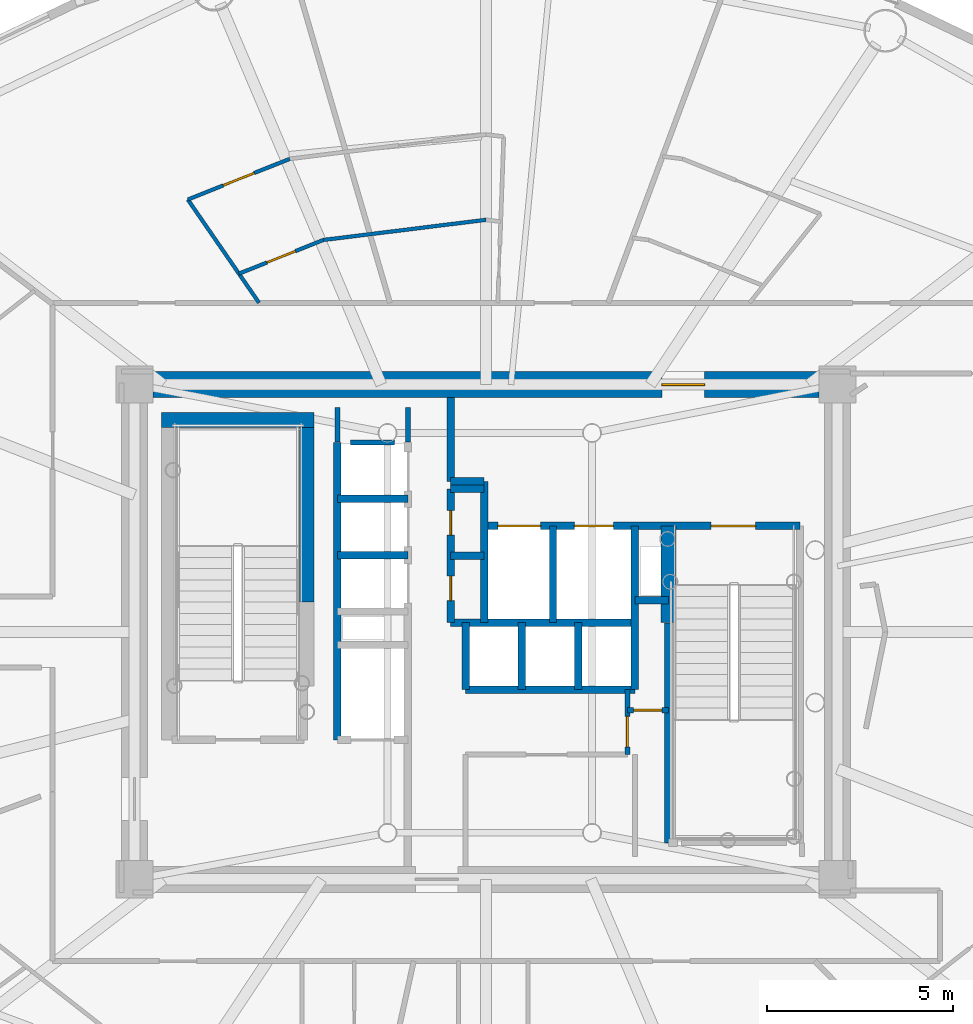
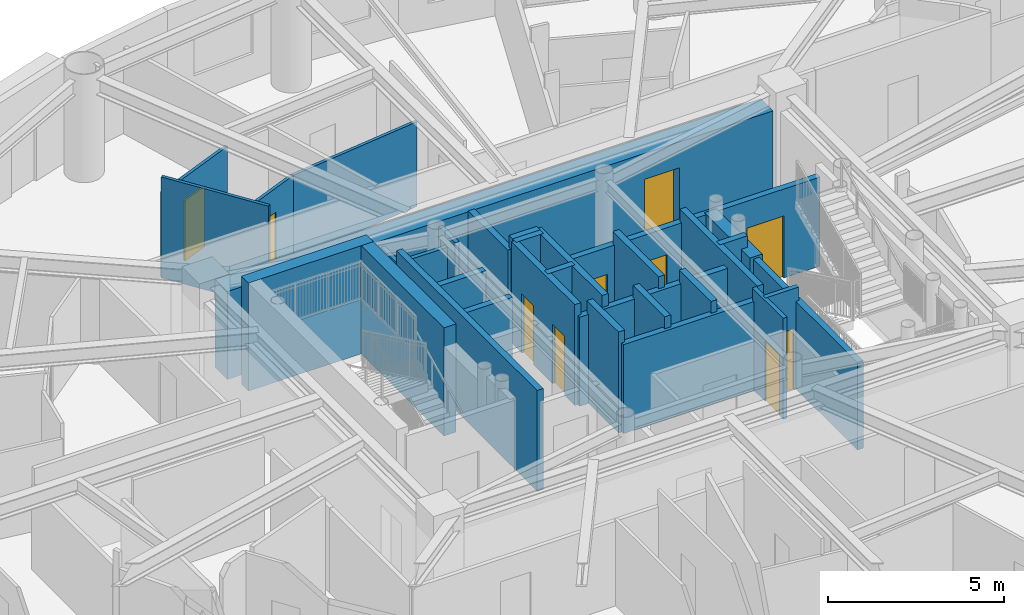
# One storey, part 9 of 19: 32 walls, 10 doors, 10 openings.
"""IFC4 building model written with IfcOpenShell, lengths in metres."""

from ifc_helpers import new_model, si_unit, direction, frame, frame_2d, origin, origin_2d, place, context, subcontext, project, spatial, rectangle, extrude, source, transform, mapped, material, layer, layer_set, type_object, element, fill, save


model = new_model("IFC4")

# Units and contexts
model_context = context("Model", 3, precision=1e-05, world=origin(), true_north=direction((0.0, 1.0)))
body_context = subcontext(model_context, "Body", "Model", "MODEL_VIEW")
ifc_project = project(units=[si_unit("LENGTHUNIT", "METRE"), si_unit("AREAUNIT", "SQUARE_METRE"), si_unit("VOLUMEUNIT", "CUBIC_METRE"), si_unit("PLANEANGLEUNIT", "RADIAN"), si_unit("MASSUNIT", "GRAM", prefix="KILO")], contexts=[model_context])

# Site, building, storey
site_placement = place(None, origin())
site = spatial("IfcSite", under=ifc_project, at=site_placement, CompositionType="ELEMENT")
building_placement = place(site_placement, origin())
building = spatial("IfcBuilding", under=site, at=building_placement, Name="Linh Dai School and Residence Tower", CompositionType="ELEMENT")
storey_placement = place(building_placement, frame((0.0, 0.0, 217.800048828125)))
storey = spatial("IfcBuildingStorey", under=building, at=storey_placement, Name="L53", CompositionType="ELEMENT", Elevation=217.800048828125)

# Wall, opening, door
ifc_material_1 = material(Name="Autoclaved Aerated Concrete Blockwork", Category="masonry")
ifc_layer_1 = layer(ifc_material_1, 0.135009765625)
ifc_layer_set_1 = layer_set([ifc_layer_1], Name="Autoclaved Aerated Concrete Blockwork")
wall_type_1 = type_object("IfcWallType", Name="IW-CORR-135-EI90", PredefinedType="PARTITIONING", material=ifc_layer_set_1)
wall_1_placement = place(storey_placement, frame((39.800048828125, 23.699951171875, 0.0), z_axis=(0.0, 0.0, 1.0), x_axis=(0.0, 1.0, 0.0)))
wall_1 = element("IfcWall", 1, at=wall_1_placement, inside=storey, type_object=wall_type_1, Name="L53 Interior Partition Wall 068", PredefinedType="PARTITIONING", context=body_context, shape_type="SweptSolid", body=[
    extrude(rectangle(XDim=1.75, YDim=0.135009765625, at=frame_2d((0.875, 0.0))), origin(), (0.0, 0.0, 1.0), 3.5),
])
opening_1_placement = place(wall_1_placement, frame((0.2099609375, 0.0, 0.0)))
opening_1 = element("IfcOpeningElement", 2, at=opening_1_placement, cuts=wall_1, Name="Opening D06", PredefinedType="OPENING", context=body_context, shape_type="SweptSolid", body=[
    extrude(rectangle(XDim=0.820068359375, YDim=2.10009765625, at=origin_2d()), frame((0.41015625, 0.07763671875, 1.050048828125), z_axis=(0.0, -1.0, 0.0), x_axis=(1.0, 0.0, 0.0)), (0.0, 0.0, 1.0), 0.155029296875),
])
ifc_material_2 = material(Name="Moisture-Resistant Timber Bathroom Door", Category="wood")
door_type_1 = type_object("IfcDoorType", Name="DR-WET-820x2100", OperationType="NOTDEFINED", PredefinedType="DOOR", material=ifc_material_2)
shared_shape_1 = source(origin(), body_context, "Body", "SweptSolid", [
    extrude(rectangle(XDim=0.820068359375, YDim=2.10009765625, at=origin_2d()), frame((0.41015625, 0.02490234375, 1.050048828125), z_axis=(0.0, -1.0, 0.0), x_axis=(1.0, 0.0, 0.0)), (0.0, 0.0, 1.0), 0.050048828125),
])
door_1_placement = place(opening_1_placement, origin())
door_1 = element("IfcDoor", 3, at=door_1_placement, inside=storey, type_object=door_type_1, Name="L53 SE Metering Closet Door", OperationType="SINGLE_SWING_RIGHT", OverallHeight=2.10009765625, OverallWidth=0.820068359375, PredefinedType="DOOR", context=body_context, shape_type="MappedRepresentation", body=[
    mapped(shared_shape_1, transform((0.0, 0.0, 0.0), x_axis=(1.0, 0.0, 0.0), y_axis=(0.0, 1.0, 0.0), z_axis=(0.0, 0.0, 1.0), scale=1.0)),
])
fill(opening_1, door_1)

# Walls
wall_2_placement = place(storey_placement, frame((32.360107421875, 32.10009765625, 0.0), z_axis=(0.0, 0.0, 1.0), x_axis=(1.0, 0.0, 0.0)))
element("IfcWall", 4, at=wall_2_placement, inside=storey, type_object=wall_type_1, Name="L53 Interior Partition Wall 097", PredefinedType="PARTITIONING", context=body_context, shape_type="SweptSolid", body=[
    extrude(rectangle(XDim=1.179931640625, YDim=0.135009765625, at=frame_2d((0.58984375, 0.0))), origin(), (0.0, 0.0, 1.0), 3.0849609375),
])
wall_3_placement = place(storey_placement, frame((32.0, 33.0400390625, 0.0), z_axis=(0.0, 0.0, 1.0), x_axis=(0.0, -1.0, 0.0)))
element("IfcWall", 5, at=wall_3_placement, inside=storey, type_object=wall_type_1, Name="L53 Interior Partition Wall 099", PredefinedType="PARTITIONING", context=body_context, shape_type="SweptSolid", body=[
    extrude(rectangle(XDim=0.929931640625, YDim=0.135009765625, at=frame_2d((0.46484375, 0.0))), origin(), (0.0, 0.0, 1.0), 3.034912109375),
])
wall_4_placement = place(storey_placement, frame((33.89990234375, 32.110107421875, 0.0), z_axis=(0.0, 0.0, 1.0), x_axis=(0.0, 1.0, 0.0)))
element("IfcWall", 6, at=wall_4_placement, inside=storey, type_object=wall_type_1, Name="L53 Interior Partition Wall 101", PredefinedType="PARTITIONING", context=body_context, shape_type="SweptSolid", body=[
    extrude(rectangle(XDim=0.929931640625, YDim=0.135009765625, at=frame_2d((0.46484375, 0.0))), origin(), (0.0, 0.0, 1.0), 3.0849609375),
])

# Wall, opening, door
ifc_layer_2 = layer(ifc_material_1, 0.14990234375)
ifc_layer_set_2 = layer_set([ifc_layer_2], Name="Autoclaved Aerated Concrete Blockwork")
wall_type_2 = type_object("IfcWallType", Name="IW-SCH-150-EI60", PredefinedType="PARTITIONING", material=ifc_layer_set_2)
wall_5_placement = place(storey_placement, frame((39.800048828125, 24.89990234375, 0.0), z_axis=(0.0, 0.0, 1.0), x_axis=(1.0, 0.0, 0.0)))
wall_5 = element("IfcWall", 7, at=wall_5_placement, inside=storey, type_object=wall_type_2, Name="L53 Interior Partition Wall 069", PredefinedType="PARTITIONING", context=body_context, shape_type="SweptSolid", body=[
    extrude(rectangle(XDim=1.099853515625, YDim=0.14990234375, at=frame_2d((0.5498046875, 0.0))), origin(), (0.0, 0.0, 1.0), 3.5),
])
opening_2_placement = place(wall_5_placement, frame((0.169921875, 0.0, 0.0)))
opening_2 = element("IfcOpeningElement", 8, at=opening_2_placement, cuts=wall_5, Name="Opening D08", PredefinedType="OPENING", context=body_context, shape_type="SweptSolid", body=[
    extrude(rectangle(XDim=0.760009765625, YDim=2.10009765625, at=origin_2d()), frame((0.3798828125, 0.0849609375, 1.050048828125), z_axis=(0.0, -1.0, 0.0), x_axis=(1.0, 0.0, 0.0)), (0.0, 0.0, 1.0), 0.169921875),
])
ifc_material_3 = material(Name="Engineered Timber Closet and Study Door", Category="wood")
door_type_2 = type_object("IfcDoorType", Name="DR-CMP-760x2100", OperationType="NOTDEFINED", PredefinedType="DOOR", material=ifc_material_3)
shared_shape_2 = source(origin(), body_context, "Body", "SweptSolid", [
    extrude(rectangle(XDim=0.760009765625, YDim=2.10009765625, at=origin_2d()), frame((0.3798828125, 0.02490234375, 1.050048828125), z_axis=(0.0, -1.0, 0.0), x_axis=(1.0, 0.0, 0.0)), (0.0, 0.0, 1.0), 0.050048828125),
])
door_2_placement = place(opening_2_placement, origin())
door_2 = element("IfcDoor", 9, at=door_2_placement, inside=storey, type_object=door_type_2, Name="L53 NE Cleaners Store Door", OperationType="SINGLE_SWING_LEFT", OverallHeight=2.10009765625, OverallWidth=0.760009765625, PredefinedType="DOOR", context=body_context, shape_type="MappedRepresentation", body=[
    mapped(shared_shape_2, transform((0.0, 0.0, 0.0), x_axis=(1.0, 0.0, 0.0), y_axis=(0.0, 1.0, 0.0), z_axis=(0.0, 0.0, 1.0), scale=1.0)),
])
fill(opening_2, door_2)

# Walls
ifc_material_4 = material(Name="Concrete B45 (C35/45)", Category="concrete")
ifc_layer_3 = layer(ifc_material_4, 0.199951171875)
ifc_layer_set_3 = layer_set([ifc_layer_3], Name="Concrete B45 (C35/45)")
wall_type_3 = type_object("IfcWallType", Name="IW-SHAFT-200-EI120", PredefinedType="PARTITIONING", material=ifc_layer_set_3)
wall_6_placement = place(storey_placement, frame((32.0, 24.10009765625, 0.0), z_axis=(0.0, 0.0, 1.0), x_axis=(0.0, 1.0, 0.0)))
element("IfcWall", 10, at=wall_6_placement, inside=storey, type_object=wall_type_3, Name="L53 Interior Partition Wall 035", PredefinedType="PARTITIONING", context=body_context, shape_type="SweptSolid", body=[
    extrude(rectangle(XDim=8.0, YDim=0.199951171875, at=frame_2d((4.0, 0.0))), origin(), (0.0, 0.0, 1.0), 3.5),
])
for number, where, z_axis, x_axis, name in (
    (11, (32.0, 29.06005859375, 0.0), (0.0, 0.0, 1.0), (1.0, 0.0, 0.0), "L53 Interior Partition Wall 039"),
    (12, (32.0, 30.580078125, 0.0), (0.0, 0.0, 1.0), (1.0, 0.0, 0.0), "L53 Interior Partition Wall 040"),
):
    element("IfcWall", number, at=place(storey_placement, frame(where, z_axis=z_axis, x_axis=x_axis)), inside=storey, type_object=wall_type_3, Name=name, PredefinedType="PARTITIONING", context=body_context, shape_type="SweptSolid", body=[
        extrude(rectangle(XDim=1.89990234375, YDim=0.199951171875, at=frame_2d((0.949951171875, 0.0))), origin(), (0.0, 0.0, 1.0), 3.0849609375),
    ])

# Wall, openings, doors
wall_7_placement = place(storey_placement, frame((35.050048828125, 27.25, 0.0), z_axis=(0.0, 0.0, 1.0), x_axis=(0.0, 1.0, 0.0)))
wall_7 = element("IfcWall", 13, at=wall_7_placement, inside=storey, type_object=wall_type_3, Name="L53 Interior Partition Wall 045", PredefinedType="PARTITIONING", context=body_context, shape_type="SweptSolid", body=[
    extrude(rectangle(XDim=3.60009765625, YDim=0.199951171875, at=frame_2d((1.800048828125, 0.0))), origin(), (0.0, 0.0, 1.0), 3.5),
])
opening_3_placement = place(wall_7_placement, frame((0.590087890625, 0.0, 0.0)))
opening_3 = element("IfcOpeningElement", 14, at=opening_3_placement, cuts=wall_7, Name="Opening AD1", PredefinedType="OPENING", context=body_context, shape_type="SweptSolid", body=[
    extrude(rectangle(XDim=0.659912109375, YDim=2.050048828125, at=origin_2d()), frame((0.330078125, 0.10986328125, 1.02490234375), z_axis=(0.0, -1.0, 0.0), x_axis=(1.0, 0.0, 0.0)), (0.0, 0.0, 1.0), 0.219970703125),
])
opening_4_placement = place(wall_7_placement, frame((2.35009765625, 0.0, 0.0)))
opening_4 = element("IfcOpeningElement", 15, at=opening_4_placement, cuts=wall_7, Name="Opening AD1", PredefinedType="OPENING", context=body_context, shape_type="SweptSolid", body=[
    extrude(rectangle(XDim=0.659912109375, YDim=2.050048828125, at=origin_2d()), frame((0.330078125, 0.10986328125, 1.02490234375), z_axis=(0.0, -1.0, 0.0), x_axis=(1.0, 0.0, 0.0)), (0.0, 0.0, 1.0), 0.219970703125),
])
ifc_material_5 = material(Name="Fire-Rated Steel Riser Access Door", Category="steel")
door_type_3 = type_object("IfcDoorType", Name="DR-ACC-660x2050-FD90S", OperationType="NOTDEFINED", PredefinedType="USERDEFINED", material=ifc_material_5)
shared_shape_3 = source(origin(), body_context, "Body", "SweptSolid", [
    extrude(rectangle(XDim=0.659912109375, YDim=2.050048828125, at=origin_2d()), frame((0.330078125, 0.02490234375, 1.02490234375), z_axis=(0.0, -1.0, 0.0), x_axis=(1.0, 0.0, 0.0)), (0.0, 0.0, 1.0), 0.050048828125),
])
door_3_placement = place(opening_3_placement, origin())
door_3 = element("IfcDoor", 16, at=door_3_placement, inside=storey, type_object=door_type_3, Name="L53 Telecom and Data Riser Access Door", ObjectType="ACCESS DOOR", OperationType="SINGLE_SWING_LEFT", OverallHeight=2.050048828125, OverallWidth=0.659912109375, PredefinedType="USERDEFINED", context=body_context, shape_type="MappedRepresentation", body=[
    mapped(shared_shape_3, transform((0.0, 0.0, 0.0), x_axis=(1.0, 0.0, 0.0), y_axis=(0.0, 1.0, 0.0), z_axis=(0.0, 0.0, 1.0), scale=1.0)),
])
fill(opening_3, door_3)
door_4_placement = place(opening_4_placement, origin())
door_4 = element("IfcDoor", 17, at=door_4_placement, inside=storey, type_object=door_type_3, Name="L53 Mechanical and Plumbing Riser Access Door", ObjectType="ACCESS DOOR", OperationType="SINGLE_SWING_RIGHT", OverallHeight=2.050048828125, OverallWidth=0.659912109375, PredefinedType="USERDEFINED", context=body_context, shape_type="MappedRepresentation", body=[
    mapped(shared_shape_3, transform((0.0, 0.0, 0.0), x_axis=(1.0, 0.0, 0.0), y_axis=(0.0, 1.0, 0.0), z_axis=(0.0, 0.0, 1.0), scale=1.0)),
])
fill(opening_4, door_4)

# Walls
wall_8_placement = place(storey_placement, frame((35.050048828125, 27.25, 0.0), z_axis=(0.0, 0.0, 1.0), x_axis=(1.0, 0.0, 0.0)))
element("IfcWall", 18, at=wall_8_placement, inside=storey, type_object=wall_type_3, Name="L53 Interior Partition Wall 046", PredefinedType="PARTITIONING", context=body_context, shape_type="SweptSolid", body=[
    extrude(rectangle(XDim=4.949951171875, YDim=0.199951171875, at=frame_2d((2.47509765625, 0.0))), origin(), (0.0, 0.0, 1.0), 3.0849609375),
])
for number, where, z_axis, x_axis, name in (
    (19, (35.050048828125, 29.050048828125, 0.0), (0.0, 0.0, 1.0), (1.0, 0.0, 0.0), "L53 Interior Partition Wall 047"),
    (20, (35.050048828125, 30.85009765625, 0.0), (0.0, 0.0, 1.0), (1.0, 0.0, 0.0), "L53 Interior Partition Wall 048"),
):
    element("IfcWall", number, at=place(storey_placement, frame(where, z_axis=z_axis, x_axis=x_axis)), inside=storey, type_object=wall_type_3, Name=name, PredefinedType="PARTITIONING", context=body_context, shape_type="SweptSolid", body=[
        extrude(rectangle(XDim=0.89990234375, YDim=0.199951171875, at=frame_2d((0.449951171875, 0.0))), origin(), (0.0, 0.0, 1.0), 3.5),
    ])
wall_9_placement = place(storey_placement, frame((35.050048828125, 31.050048828125, 0.0), z_axis=(0.0, 0.0, 1.0), x_axis=(0.0, 1.0, 0.0)))
element("IfcWall", 21, at=wall_9_placement, inside=storey, type_object=wall_type_3, Name="L53 Interior Partition Wall 049", PredefinedType="PARTITIONING", context=body_context, shape_type="SweptSolid", body=[
    extrude(rectangle(XDim=2.25, YDim=0.199951171875, at=frame_2d((1.125, 0.0))), origin(), (0.0, 0.0, 1.0), 3.0849609375),
])
wall_10_placement = place(storey_placement, frame((35.050048828125, 31.050048828125, 0.0), z_axis=(0.0, 0.0, 1.0), x_axis=(1.0, 0.0, 0.0)))
element("IfcWall", 22, at=wall_10_placement, inside=storey, type_object=wall_type_3, Name="L53 Interior Partition Wall 050", PredefinedType="PARTITIONING", context=body_context, shape_type="SweptSolid", body=[
    extrude(rectangle(XDim=0.89990234375, YDim=0.199951171875, at=frame_2d((0.449951171875, 0.0))), origin(), (0.0, 0.0, 1.0), 3.5),
])
wall_11_placement = place(storey_placement, frame((35.449951171875, 25.449951171875, 0.0), z_axis=(0.0, 0.0, 1.0), x_axis=(0.0, 1.0, 0.0)))
element("IfcWall", 23, at=wall_11_placement, inside=storey, type_object=wall_type_3, Name="L53 Interior Partition Wall 054", PredefinedType="PARTITIONING", context=body_context, shape_type="SweptSolid", body=[
    extrude(rectangle(XDim=1.800048828125, YDim=0.199951171875, at=frame_2d((0.89990234375, 0.0))), origin(), (0.0, 0.0, 1.0), 3.5),
])
wall_12_placement = place(storey_placement, frame((35.449951171875, 25.449951171875, 0.0), z_axis=(0.0, 0.0, 1.0), x_axis=(1.0, 0.0, 0.0)))
element("IfcWall", 24, at=wall_12_placement, inside=storey, type_object=wall_type_3, Name="L53 Interior Partition Wall 055", PredefinedType="PARTITIONING", context=body_context, shape_type="SweptSolid", body=[
    extrude(rectangle(XDim=4.550048828125, YDim=0.199951171875, at=frame_2d((2.27490234375, 0.0))), origin(), (0.0, 0.0, 1.0), 3.0849609375),
])
wall_13_placement = place(storey_placement, frame((35.949951171875, 27.25, 0.0), z_axis=(0.0, 0.0, 1.0), x_axis=(0.0, 1.0, 0.0)))
element("IfcWall", 25, at=wall_13_placement, inside=storey, type_object=wall_type_3, Name="L53 Interior Partition Wall 056", PredefinedType="PARTITIONING", context=body_context, shape_type="SweptSolid", body=[
    extrude(rectangle(XDim=3.800048828125, YDim=0.199951171875, at=frame_2d((1.89990234375, 0.0))), origin(), (0.0, 0.0, 1.0), 3.5),
])

# Wall, openings, doors
wall_14_placement = place(storey_placement, frame((35.949951171875, 29.85009765625, 0.0), z_axis=(0.0, 0.0, 1.0), x_axis=(1.0, 0.0, 0.0)))
wall_14 = element("IfcWall", 26, at=wall_14_placement, inside=storey, type_object=wall_type_3, Name="L53 Interior Partition Wall 057", PredefinedType="PARTITIONING", context=body_context, shape_type="SweptSolid", body=[
    extrude(rectangle(XDim=8.489990234375, YDim=0.199951171875, at=frame_2d((4.2451171875, 0.0))), origin(), (0.0, 0.0, 1.0), 3.0849609375),
])
opening_5_placement = place(wall_14_placement, frame((6.10009765625, 0.0, 0.0)))
opening_5 = element("IfcOpeningElement", 27, at=opening_5_placement, cuts=wall_14, Name="Opening D01", PredefinedType="OPENING", context=body_context, shape_type="SweptSolid", body=[
    extrude(rectangle(XDim=1.199951171875, YDim=2.14990234375, at=origin_2d()), frame((0.60009765625, 0.10986328125, 1.074951171875), z_axis=(0.0, -1.0, 0.0), x_axis=(1.0, 0.0, 0.0)), (0.0, 0.0, 1.0), 0.219970703125),
])
opening_6_placement = place(wall_14_placement, frame((0.3701171875, 0.0, 0.0)))
opening_6 = element("IfcOpeningElement", 28, at=opening_6_placement, cuts=wall_14, Name="Opening LD-FF1", PredefinedType="OPENING", context=body_context, shape_type="SweptSolid", body=[
    extrude(rectangle(XDim=1.14990234375, YDim=2.14990234375, at=origin_2d()), frame((0.574951171875, 0.10986328125, 1.074951171875), z_axis=(0.0, -1.0, 0.0), x_axis=(1.0, 0.0, 0.0)), (0.0, 0.0, 1.0), 0.219970703125),
])
opening_7_placement = place(wall_14_placement, frame((2.425048828125, 0.0, 0.0)))
opening_7 = element("IfcOpeningElement", 29, at=opening_7_placement, cuts=wall_14, Name="Opening LD-SV1", PredefinedType="OPENING", context=body_context, shape_type="SweptSolid", body=[
    extrude(rectangle(XDim=1.050048828125, YDim=2.14990234375, at=origin_2d()), frame((0.52490234375, 0.10986328125, 1.074951171875), z_axis=(0.0, -1.0, 0.0), x_axis=(1.0, 0.0, 0.0)), (0.0, 0.0, 1.0), 0.219970703125),
])
ifc_material_6 = material(Name="Fire-Rated Steel Door Leaf", Category="steel")
door_type_4 = type_object("IfcDoorType", Name="DR-STAIR-1200x2150-FD90S", OperationType="NOTDEFINED", PredefinedType="DOOR", material=ifc_material_6)
shared_shape_4 = source(origin(), body_context, "Body", "SweptSolid", [
    extrude(rectangle(XDim=1.199951171875, YDim=2.14990234375, at=origin_2d()), frame((0.60009765625, 0.02490234375, 1.074951171875), z_axis=(0.0, -1.0, 0.0), x_axis=(1.0, 0.0, 0.0)), (0.0, 0.0, 1.0), 0.050048828125),
])
door_5_placement = place(opening_5_placement, origin())
door_5 = element("IfcDoor", 30, at=door_5_placement, inside=storey, type_object=door_type_4, Name="L53 Core Smokeproof Exit Stair ST2 Door", OperationType="SINGLE_SWING_LEFT", OverallHeight=2.14990234375, OverallWidth=1.199951171875, PredefinedType="DOOR", context=body_context, shape_type="MappedRepresentation", body=[
    mapped(shared_shape_4, transform((0.0, 0.0, 0.0), x_axis=(1.0, 0.0, 0.0), y_axis=(0.0, 1.0, 0.0), z_axis=(0.0, 0.0, 1.0), scale=1.0)),
])
fill(opening_5, door_5)
ifc_material_7 = material(Name="Fire-Rated Stainless Steel Firefighting Lift Door", Category="steel")
door_type_5 = type_object("IfcDoorType", Name="DR-LD-FF-1150x2150-FD120", OperationType="DOUBLE_DOOR_SLIDING", PredefinedType="USERDEFINED", material=ifc_material_7)
shared_shape_5 = source(origin(), body_context, "Body", "SweptSolid", [
    extrude(rectangle(XDim=1.14990234375, YDim=2.14990234375, at=origin_2d()), frame((0.574951171875, 0.02490234375, 1.074951171875), z_axis=(0.0, -1.0, 0.0), x_axis=(1.0, 0.0, 0.0)), (0.0, 0.0, 1.0), 0.050048828125),
])
door_6_placement = place(opening_6_placement, origin())
door_6 = element("IfcDoor", 31, at=door_6_placement, inside=storey, type_object=door_type_5, Name="L53 Lift FF1 Sliding Landing Door", ObjectType="LANDING DOOR", OperationType="DOUBLE_DOOR_SLIDING", OverallHeight=2.14990234375, OverallWidth=1.14990234375, PredefinedType="USERDEFINED", context=body_context, shape_type="MappedRepresentation", body=[
    mapped(shared_shape_5, transform((0.0, 0.0, 0.0), x_axis=(1.0, 0.0, 0.0), y_axis=(0.0, 1.0, 0.0), z_axis=(0.0, 0.0, 1.0), scale=1.0)),
])
fill(opening_6, door_6)
ifc_material_8 = material(Name="Brushed Stainless Steel Lift Landing Door", Category="steel")
door_type_6 = type_object("IfcDoorType", Name="DR-LD-PASS-1050x2150", OperationType="DOUBLE_DOOR_SLIDING", PredefinedType="USERDEFINED", material=ifc_material_8)
shared_shape_6 = source(origin(), body_context, "Body", "SweptSolid", [
    extrude(rectangle(XDim=1.050048828125, YDim=2.14990234375, at=origin_2d()), frame((0.52490234375, 0.02490234375, 1.074951171875), z_axis=(0.0, -1.0, 0.0), x_axis=(1.0, 0.0, 0.0)), (0.0, 0.0, 1.0), 0.050048828125),
])
door_7_placement = place(opening_7_placement, origin())
door_7 = element("IfcDoor", 32, at=door_7_placement, inside=storey, type_object=door_type_6, Name="L53 Lift SV1 Sliding Landing Door", ObjectType="LANDING DOOR", OperationType="DOUBLE_DOOR_SLIDING", OverallHeight=2.14990234375, OverallWidth=1.050048828125, PredefinedType="USERDEFINED", context=body_context, shape_type="MappedRepresentation", body=[
    mapped(shared_shape_6, transform((0.0, 0.0, 0.0), x_axis=(1.0, 0.0, 0.0), y_axis=(0.0, 1.0, 0.0), z_axis=(0.0, 0.0, 1.0), scale=1.0)),
])
fill(opening_7, door_7)

# Walls
wall_15_placement = place(storey_placement, frame((36.9599609375, 25.449951171875, 0.0), z_axis=(0.0, 0.0, 1.0), x_axis=(0.0, 1.0, 0.0)))
element("IfcWall", 33, at=wall_15_placement, inside=storey, type_object=wall_type_3, Name="L53 Interior Partition Wall 062", PredefinedType="PARTITIONING", context=body_context, shape_type="SweptSolid", body=[
    extrude(rectangle(XDim=1.800048828125, YDim=0.199951171875, at=frame_2d((0.89990234375, 0.0))), origin(), (0.0, 0.0, 1.0), 3.5),
])
wall_16_placement = place(storey_placement, frame((37.800048828125, 27.25, 0.0), z_axis=(0.0, 0.0, 1.0), x_axis=(0.0, 1.0, 0.0)))
element("IfcWall", 34, at=wall_16_placement, inside=storey, type_object=wall_type_3, Name="L53 Interior Partition Wall 064", PredefinedType="PARTITIONING", context=body_context, shape_type="SweptSolid", body=[
    extrude(rectangle(XDim=2.60009765625, YDim=0.199951171875, at=frame_2d((1.300048828125, 0.0))), origin(), (0.0, 0.0, 1.0), 3.5),
])
wall_17_placement = place(storey_placement, frame((38.47998046875, 25.449951171875, 0.0), z_axis=(0.0, 0.0, 1.0), x_axis=(0.0, 1.0, 0.0)))
element("IfcWall", 35, at=wall_17_placement, inside=storey, type_object=wall_type_3, Name="L53 Interior Partition Wall 065", PredefinedType="PARTITIONING", context=body_context, shape_type="SweptSolid", body=[
    extrude(rectangle(XDim=1.800048828125, YDim=0.199951171875, at=frame_2d((0.89990234375, 0.0))), origin(), (0.0, 0.0, 1.0), 3.5),
])
wall_18_placement = place(storey_placement, frame((40.0, 25.449951171875, 0.0), z_axis=(0.0, 0.0, 1.0), x_axis=(0.0, 1.0, 0.0)))
element("IfcWall", 36, at=wall_18_placement, inside=storey, type_object=wall_type_3, Name="L53 Interior Partition Wall 071", PredefinedType="PARTITIONING", context=body_context, shape_type="SweptSolid", body=[
    extrude(rectangle(XDim=4.400146484375, YDim=0.199951171875, at=frame_2d((2.2001953125, 0.0))), origin(), (0.0, 0.0, 1.0), 3.5),
])
wall_19_placement = place(storey_placement, frame((40.0, 27.85009765625, 0.0), z_axis=(0.0, 0.0, 1.0), x_axis=(1.0, 0.0, 0.0)))
element("IfcWall", 37, at=wall_19_placement, inside=storey, type_object=wall_type_3, Name="L53 Interior Partition Wall 072", PredefinedType="PARTITIONING", context=body_context, shape_type="SweptSolid", body=[
    extrude(rectangle(XDim=0.89990234375, YDim=0.199951171875, at=frame_2d((0.449951171875, 0.0))), origin(), (0.0, 0.0, 1.0), 3.5),
])
wall_20_placement = place(storey_placement, frame((40.89990234375, 21.330078125, 0.0), z_axis=(0.0, 0.0, 1.0), x_axis=(0.0, 1.0, 0.0)))
element("IfcWall", 38, at=wall_20_placement, inside=storey, type_object=wall_type_3, Name="L53 Interior Partition Wall 075", PredefinedType="PARTITIONING", context=body_context, shape_type="SweptSolid", body=[
    extrude(rectangle(XDim=5.909912109375, YDim=0.199951171875, at=frame_2d((2.955078125, 0.0))), origin(), (0.0, 0.0, 1.0), 3.034912109375),
])
ifc_material_9 = material(Name="Gypsum Plasterboard Acoustic Stud Partition", Category="masonry")
ifc_layer_4 = layer(ifc_material_9, 0.10009765625)
ifc_layer_set_4 = layer_set([ifc_layer_4], Name="Gypsum Plasterboard Acoustic Stud Partition")
wall_type_4 = type_object("IfcWallType", Name="IW-UNIT-100", PredefinedType="PARTITIONING", material=ifc_layer_set_4)
wall_21_placement = place(storey_placement, frame((27.98193359375, 38.625732421875, 0.0), z_axis=(0.0, 0.0, 1.0), x_axis=(0.56776340906, -0.823191782838, 0.0)))
element("IfcWall", 39, at=wall_21_placement, inside=storey, type_object=wall_type_4, Name="L53 Interior Partition Wall 026", PredefinedType="PARTITIONING", context=body_context, shape_type="SweptSolid", body=[
    extrude(rectangle(XDim=3.3720703125, YDim=0.10009765625, at=frame_2d((1.68603515625, 0.0))), origin(), (0.0, 0.0, 1.0), 3.5),
])

# Wall, opening, door
wall_22_placement = place(storey_placement, frame((27.98193359375, 38.625732421875, 0.0), z_axis=(0.0, 0.0, 1.0), x_axis=(0.928795965169, 0.370591493542, 0.0)))
wall_22 = element("IfcWall", 40, at=wall_22_placement, inside=storey, type_object=wall_type_4, Name="L53 Interior Partition Wall 027", PredefinedType="PARTITIONING", context=body_context, shape_type="SweptSolid", body=[
    extrude(rectangle(XDim=2.949951171875, YDim=0.10009765625, at=frame_2d((1.47509765625, 0.0))), origin(), (0.0, 0.0, 1.0), 2.93505859375),
])
opening_8_placement = place(wall_22_placement, frame((1.02490234375, 0.0, 0.0)))
opening_8 = element("IfcOpeningElement", 41, at=opening_8_placement, cuts=wall_22, Name="Opening D05", PredefinedType="OPENING", context=body_context, shape_type="SweptSolid", body=[
    extrude(rectangle(XDim=0.89990234375, YDim=2.10009765625, at=origin_2d()), frame((0.449951171875, 0.06005859375, 1.050048828125), z_axis=(0.0, -1.0, 0.0), x_axis=(1.0, 0.0, 0.0)), (0.0, 0.0, 1.0), 0.1201171875),
])
ifc_material_10 = material(Name="Engineered Timber Internal Door", Category="wood")
door_type_7 = type_object("IfcDoorType", Name="DR-INT-900x2100", OperationType="NOTDEFINED", PredefinedType="DOOR", material=ifc_material_10)
shared_shape_7 = source(origin(), body_context, "Body", "SweptSolid", [
    extrude(rectangle(XDim=0.89990234375, YDim=2.10009765625, at=origin_2d()), frame((0.449951171875, 0.02490234375, 1.050048828125), z_axis=(0.0, -1.0, 0.0), x_axis=(1.0, 0.0, 0.0)), (0.0, 0.0, 1.0), 0.050048828125),
])
door_8_placement = place(opening_8_placement, origin())
door_8 = element("IfcDoor", 42, at=door_8_placement, inside=storey, type_object=door_type_7, Name="L53 Apartment U5303 Kitchen Door", OperationType="SINGLE_SWING_LEFT", OverallHeight=2.10009765625, OverallWidth=0.89990234375, PredefinedType="DOOR", context=body_context, shape_type="MappedRepresentation", body=[
    mapped(shared_shape_7, transform((0.0, 0.0, 0.0), x_axis=(1.0, 0.0, 0.0), y_axis=(0.0, 1.0, 0.0), z_axis=(0.0, 0.0, 1.0), scale=1.0)),
])
fill(opening_8, door_8)

wall_23_placement = place(storey_placement, frame((29.3564453125, 36.6328125, 0.0), z_axis=(0.0, 0.0, 1.0), x_axis=(0.928806968298, 0.370563915731, 0.0)))
wall_23 = element("IfcWall", 43, at=wall_23_placement, inside=storey, type_object=wall_type_4, Name="L53 Interior Partition Wall 028", PredefinedType="PARTITIONING", context=body_context, shape_type="SweptSolid", body=[
    extrude(rectangle(XDim=2.4443359375, YDim=0.10009765625, at=frame_2d((1.22216796875, 0.0))), origin(), (0.0, 0.0, 1.0), 2.93505859375),
])
opening_9_placement = place(wall_23_placement, frame((0.81201171875, 0.0, 0.0)))
opening_9 = element("IfcOpeningElement", 44, at=opening_9_placement, cuts=wall_23, Name="Opening D06", PredefinedType="OPENING", context=body_context, shape_type="SweptSolid", body=[
    extrude(rectangle(XDim=0.820068359375, YDim=2.10009765625, at=origin_2d()), frame((0.41015625, 0.06005859375, 1.050048828125), z_axis=(0.0, -1.0, 0.0), x_axis=(1.0, 0.0, 0.0)), (0.0, 0.0, 1.0), 0.1201171875),
])
door_9_placement = place(opening_9_placement, origin())
door_9 = element("IfcDoor", 45, at=door_9_placement, inside=storey, type_object=door_type_1, Name="L53 Apartment U5303 Bathroom Door", OperationType="SINGLE_SWING_RIGHT", OverallHeight=2.10009765625, OverallWidth=0.820068359375, PredefinedType="DOOR", context=body_context, shape_type="MappedRepresentation", body=[
    mapped(shared_shape_1, transform((0.0, 0.0, 0.0), x_axis=(1.0, 0.0, 0.0), y_axis=(0.0, 1.0, 0.0), z_axis=(0.0, 0.0, 1.0), scale=1.0)),
])
fill(opening_9, door_9)

# Walls
wall_24_placement = place(storey_placement, frame((31.626708984375, 37.53857421875, 0.0), z_axis=(0.0, 0.0, 1.0), x_axis=(0.992401810072, 0.123039210683, 0.0)))
element("IfcWall", 46, at=wall_24_placement, inside=storey, type_object=wall_type_4, Name="L53 Interior Partition Wall 033", PredefinedType="PARTITIONING", context=body_context, shape_type="SweptSolid", body=[
    extrude(rectangle(XDim=4.406982421875, YDim=0.10009765625, at=frame_2d((2.20361328125, 0.0))), origin(), (0.0, 0.0, 1.0), 2.93505859375),
])
ifc_layer_5 = layer(ifc_material_4, 0.39990234375)
ifc_layer_set_5 = layer_set([ifc_layer_5], Name="Concrete B45 (C35/45)")
wall_type_5 = type_object("IfcWallType", Name="WL-CORE400", PredefinedType="SHEAR", material=ifc_layer_set_5)
wall_25_placement = place(storey_placement, frame((31.179931640625, 27.800048828125, 0.0), z_axis=(0.0, 0.0, 1.0), x_axis=(0.0, 1.0, 0.0)))
element("IfcWall", 47, at=wall_25_placement, inside=storey, type_object=wall_type_5, Name="L53 Core Stair ST1 Bearing Wall E", PredefinedType="SHEAR", context=body_context, shape_type="SweptSolid", body=[
    extrude(rectangle(XDim=4.89990234375, YDim=0.39990234375, at=frame_2d((2.449951171875, 0.0))), origin(), (0.0, 0.0, 1.0), 3.75),
])
wall_26_placement = place(storey_placement, frame((27.280029296875, 32.699951171875, 0.0), z_axis=(0.0, 0.0, 1.0), x_axis=(1.0, 0.0, 0.0)))
element("IfcWall", 48, at=wall_26_placement, inside=storey, type_object=wall_type_5, Name="L53 Core Stair ST1 Bearing Wall N", PredefinedType="SHEAR", context=body_context, shape_type="SweptSolid", body=[
    extrude(rectangle(XDim=4.099853515625, YDim=0.39990234375, at=frame_2d((2.0498046875, 0.0))), origin(), (0.0, 0.0, 1.0), 3.75),
])
wall_27_placement = place(storey_placement, frame((40.89990234375, 27.25, 0.0), z_axis=(0.0, 0.0, 1.0), x_axis=(0.0, 1.0, 0.0)))
element("IfcWall", 49, at=wall_27_placement, inside=storey, type_object=wall_type_5, Name="L53 Internal Core Shear Wall IE", PredefinedType="SHEAR", context=body_context, shape_type="SweptSolid", body=[
    extrude(rectangle(XDim=2.60009765625, YDim=0.39990234375, at=frame_2d((1.300048828125, 0.0))), origin(), (0.0, 0.0, 1.0), 3.099853515625),
])

# Wall, opening, door
ifc_layer_6 = layer(ifc_material_4, 0.699951171875)
ifc_layer_set_6 = layer_set([ifc_layer_6], Name="Concrete B45 (C35/45)")
wall_type_6 = type_object("IfcWallType", Name="WL-CORE700", PredefinedType="SHEAR", material=ifc_layer_set_6)
wall_28_placement = place(storey_placement, frame((27.050048828125, 33.64990234375, 0.0), z_axis=(0.0, 0.0, 1.0), x_axis=(1.0, 0.0, 0.0)))
wall_28 = element("IfcWall", 50, at=wall_28_placement, inside=storey, type_object=wall_type_6, Name="L53 Central Core Shear Wall N", PredefinedType="SHEAR", context=body_context, shape_type="SweptSolid", body=[
    extrude(rectangle(XDim=17.89990234375, YDim=0.699951171875, at=frame_2d((8.949951171875, 0.0))), origin(), (0.0, 0.0, 1.0), 3.050048828125),
])
opening_10_placement = place(wall_28_placement, frame((13.675048828125, 0.0, 0.0)))
opening_10 = element("IfcOpeningElement", 51, at=opening_10_placement, cuts=wall_28, Name="Opening D02", PredefinedType="OPENING", context=body_context, shape_type="SweptSolid", body=[
    extrude(rectangle(XDim=1.14990234375, YDim=2.14990234375, at=origin_2d()), frame((0.574951171875, 0.35986328125, 1.074951171875), z_axis=(0.0, -1.0, 0.0), x_axis=(1.0, 0.0, 0.0)), (0.0, 0.0, 1.0), 0.719970703125),
])
ifc_material_11 = material(Name="Fire-Rated Glazed Steel Lobby Door", Category="steel")
door_type_8 = type_object("IfcDoorType", Name="DR-LOBBY-1150x2150-FD90S", OperationType="NOTDEFINED", PredefinedType="DOOR", material=ifc_material_11)
shared_shape_8 = source(origin(), body_context, "Body", "SweptSolid", [
    extrude(rectangle(XDim=1.14990234375, YDim=2.14990234375, at=origin_2d()), frame((0.574951171875, 0.02490234375, 1.074951171875), z_axis=(0.0, -1.0, 0.0), x_axis=(1.0, 0.0, 0.0)), (0.0, 0.0, 1.0), 0.050048828125),
])
door_10_placement = place(opening_10_placement, origin())
door_10 = element("IfcDoor", 52, at=door_10_placement, inside=storey, type_object=door_type_8, Name="L53 Firefighting Lobby Door", OperationType="SINGLE_SWING_RIGHT", OverallHeight=2.14990234375, OverallWidth=1.14990234375, PredefinedType="DOOR", context=body_context, shape_type="MappedRepresentation", body=[
    mapped(shared_shape_8, transform((0.0, 0.0, 0.0), x_axis=(1.0, 0.0, 0.0), y_axis=(0.0, 1.0, 0.0), z_axis=(0.0, 0.0, 1.0), scale=1.0)),
])
fill(opening_10, door_10)

save(model, "model.ifc")
